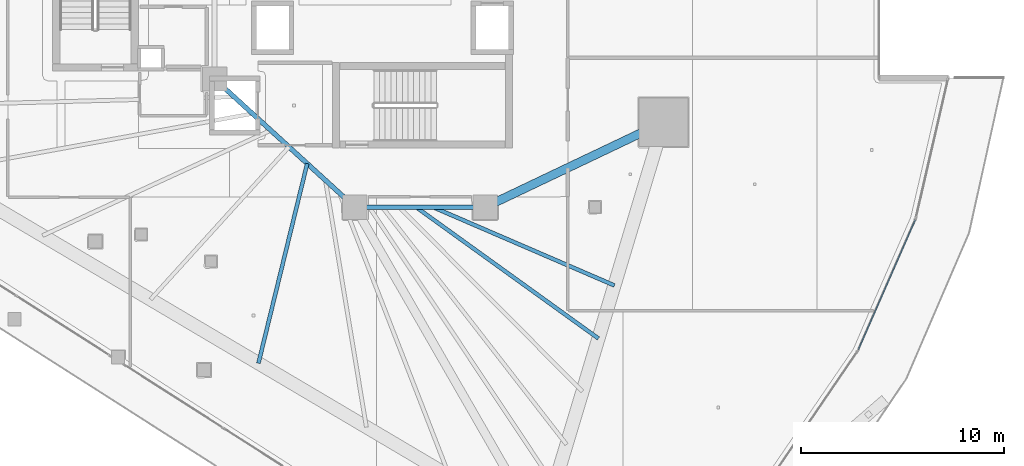
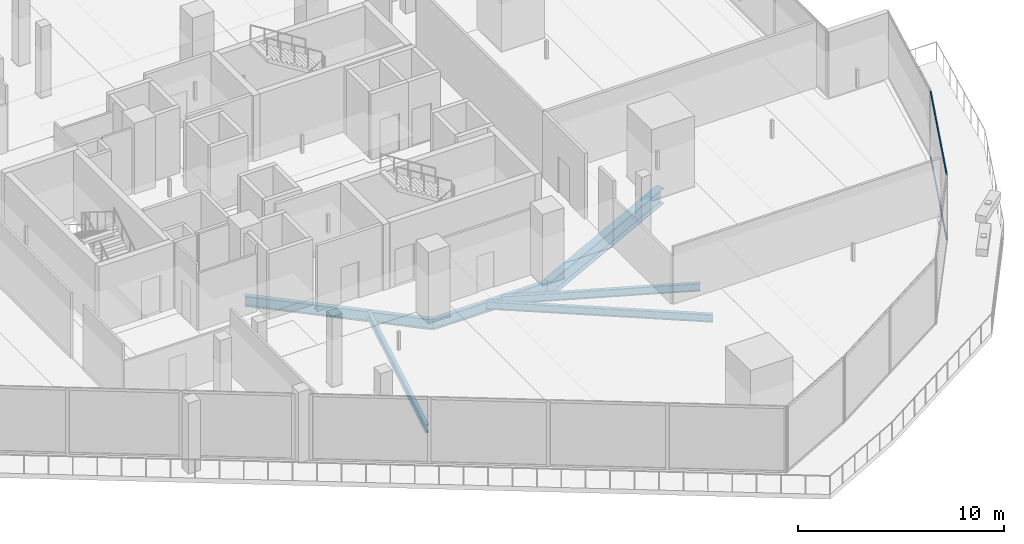
# One storey, part 12 of 45: 6 beams, 2 members, 1 element without a shape of its own.
"""IFC4 building model written with IfcOpenShell, lengths in metres."""

from ifc_helpers import new_model, si_unit, direction, frame, origin, origin_2d, place, context, subcontext, project, spatial, hollow_rectangle, i_section, extrude, material, layer, layer_set, material_profile, profile_set, type_object, element, aggregate, save


model = new_model("IFC4")

# Units and contexts
model_context = context("Model", 3, precision=1e-05, world=origin(), true_north=direction((0.0, 1.0)))
body_context = subcontext(model_context, "Body", "Model", "MODEL_VIEW")
ifc_project = project(units=[si_unit("LENGTHUNIT", "METRE"), si_unit("AREAUNIT", "SQUARE_METRE"), si_unit("VOLUMEUNIT", "CUBIC_METRE"), si_unit("PLANEANGLEUNIT", "RADIAN"), si_unit("MASSUNIT", "GRAM", prefix="KILO")], contexts=[model_context])

# Site, building, storey
site_placement = place(None, origin())
site = spatial("IfcSite", under=ifc_project, at=site_placement, CompositionType="ELEMENT")
building_placement = place(site_placement, origin())
building = spatial("IfcBuilding", under=site, at=building_placement, Name="Qorvath Tower", CompositionType="ELEMENT")
storey_placement = place(building_placement, frame((0.0, 0.0, 95.39990234375)))
storey = spatial("IfcBuildingStorey", under=building, at=storey_placement, Name="L21", CompositionType="ELEMENT", Elevation=95.39990234375)

# Beams
ifc_material_1 = material(Name="Steel ASTM A992 Grade 50", Category="steel")
ifc_material_profile_1 = material_profile(ifc_material_1, i_section(OverallWidth=0.422119140625, OverallDepth=0.93310546875, WebThickness=0.021240234375, FlangeThickness=0.039794921875, FilletRadius=0.02392578125, at=origin_2d()), Name="W36x262")
ifc_profile_set_1 = profile_set([ifc_material_profile_1], Name="Steel ASTM A992 Grade 50")
beam_type_1 = type_object("IfcBeamType", Name="BM-FG1", PredefinedType="BEAM", material=ifc_profile_set_1)
beam_1_placement = place(storey_placement, frame((-17.199951171875, -11.449951171875, -0.746337890625), z_axis=(0.902955751435, 0.429733534821, 0.0), x_axis=(-0.429733534821, 0.902955751435, 0.0)))
element("IfcBeam", 1, at=beam_1_placement, inside=storey, type_object=beam_type_1, Name="Radial Floor Girder CC3-MC4 L21", PredefinedType="BEAM", context=body_context, shape_type="SweptSolid", body=[
    extrude(i_section(OverallWidth=0.422119140625, OverallDepth=0.93310546875, WebThickness=0.021240234375, FlangeThickness=0.039794921875, FilletRadius=0.02392578125, at=origin_2d()), origin(), (0.0, 0.0, 1.0), 9.7119140625),
])
ifc_material_2 = material(Name="Steel ASTM A992 Grade 50", Category="steel")
ifc_material_profile_2 = material_profile(ifc_material_2, i_section(OverallWidth=0.22998046875, OverallDepth=0.616943359375, WebThickness=0.01318359375, FlangeThickness=0.022216796875, FilletRadius=0.014892578125, at=origin_2d()), Name="W24x94")
ifc_profile_set_2 = profile_set([ifc_material_profile_2], Name="Steel ASTM A992 Grade 50")
beam_type_2 = type_object("IfcBeamType", Name="BM-FG6", PredefinedType="BEAM", material=ifc_profile_set_2)
beam_2_placement = place(storey_placement, frame((-17.199951171875, -11.449951171875, -0.58837890625), z_axis=(-1.0, 0.0, 0.0), x_axis=(0.0, -1.0, 0.0)))
element("IfcBeam", 2, at=beam_2_placement, inside=storey, type_object=beam_type_2, Name="Core Ring Girder CC3-CC4 L21", PredefinedType="BEAM", context=body_context, shape_type="SweptSolid", body=[
    extrude(i_section(OverallWidth=0.22998046875, OverallDepth=0.616943359375, WebThickness=0.01318359375, FlangeThickness=0.022216796875, FilletRadius=0.014892578125, at=origin_2d()), origin(), (0.0, 0.0, 1.0), 6.400146484375),
])
beam_3_placement = place(storey_placement, frame((-23.60009765625, -11.449951171875, -0.58837890625), z_axis=(-0.73847813985, 0.6742774184, 0.0), x_axis=(-0.6742774184, -0.73847813985, 0.0)))
element("IfcBeam", 3, at=beam_3_placement, inside=storey, type_object=beam_type_2, Name="Core Ring Girder CC4-CC6 L21", PredefinedType="BEAM", context=body_context, shape_type="SweptSolid", body=[
    extrude(i_section(OverallWidth=0.22998046875, OverallDepth=0.616943359375, WebThickness=0.01318359375, FlangeThickness=0.022216796875, FilletRadius=0.014892578125, at=origin_2d()), origin(), (0.0, 0.0, 1.0), 9.343505859375),
])
ifc_material_3 = material(Name="Steel ASTM A992 Grade 50", Category="steel")
ifc_material_profile_3 = material_profile(ifc_material_3, i_section(OverallWidth=0.18994140625, OverallDepth=0.45703125, WebThickness=0.009033203125, FlangeThickness=0.014404296875, FilletRadius=0.011962890625, at=origin_2d()), Name="W18x50")
ifc_profile_set_3 = profile_set([ifc_material_profile_3], Name="Steel ASTM A992 Grade 50")
beam_type_3 = type_object("IfcBeamType", Name="BM-FJ2", PredefinedType="JOIST", material=ifc_profile_set_3)
beam_4_placement = place(storey_placement, frame((-19.760009765625, -11.449951171875, -0.50830078125), z_axis=(0.918135537923, -0.396266493667, 0.0), x_axis=(0.396266493667, 0.918135537923, 0.0)))
element("IfcBeam", 4, at=beam_4_placement, inside=storey, type_object=beam_type_3, Name="Composite Floor Joist SE3 L21", PredefinedType="JOIST", context=body_context, shape_type="SweptSolid", body=[
    extrude(i_section(OverallWidth=0.18994140625, OverallDepth=0.45703125, WebThickness=0.009033203125, FlangeThickness=0.014404296875, FilletRadius=0.011962890625, at=origin_2d()), origin(), (0.0, 0.0, 1.0), 9.7109375),
])
beam_5_placement = place(storey_placement, frame((-20.592041015625, -11.449951171875, -0.50830078125), z_axis=(0.811469358397, -0.584394969505, 0.0), x_axis=(0.584394969505, 0.811469358397, 0.0)))
element("IfcBeam", 5, at=beam_5_placement, inside=storey, type_object=beam_type_3, Name="Composite Floor Joist SE4 L21", PredefinedType="JOIST", context=body_context, shape_type="SweptSolid", body=[
    extrude(i_section(OverallWidth=0.18994140625, OverallDepth=0.45703125, WebThickness=0.009033203125, FlangeThickness=0.014404296875, FilletRadius=0.011962890625, at=origin_2d()), origin(), (0.0, 0.0, 1.0), 11.046142578125),
])
beam_6_placement = place(storey_placement, frame((-25.946044921875, -9.30810546875, -0.50830078125), z_axis=(-0.237165308581, -0.97146930801, 0.0), x_axis=(0.97146930801, -0.237165308581, 0.0)))
element("IfcBeam", 6, at=beam_6_placement, inside=storey, type_object=beam_type_3, Name="Composite Floor Joist SW5 L21", PredefinedType="JOIST", context=body_context, shape_type="SweptSolid", body=[
    extrude(i_section(OverallWidth=0.18994140625, OverallDepth=0.45703125, WebThickness=0.009033203125, FlangeThickness=0.014404296875, FilletRadius=0.011962890625, at=origin_2d()), origin(), (0.0, 0.0, 1.0), 10.104736328125),
])

# Curtain wall, members
ifc_material_4 = material(Name="Anodised aluminium and triple low-E glass", Category="aluminium")
ifc_layer = layer(ifc_material_4, 0.179931640625)
ifc_layer_set = layer_set([ifc_layer], Name="CW-SYS-2")
curtain_wall_type = type_object("IfcCurtainWallType", Name="CW-SYS-2", PredefinedType="NOTDEFINED", material=ifc_layer_set)
curtain_wall_placement = place(storey_placement, origin())
curtain_wall = element("IfcCurtainWall", 7, at=curtain_wall_placement, inside=storey, type_object=curtain_wall_type, Name="Curtain Wall CW-2 CW-T-L21-6.1", PredefinedType="NOTDEFINED")
ifc_material_5 = material(Name="Anodised aluminium 6063-T6", Category="aluminium")
ifc_material_profile_4 = material_profile(ifc_material_5, hollow_rectangle(XDim=0.06494140625, YDim=0.159912109375, WallThickness=0.00341796875, InnerFilletRadius=0.00341796875, OuterFilletRadius=0.007080078125, at=origin_2d()), Name="CWT 160x65")
ifc_profile_set_4 = profile_set([ifc_material_profile_4], Name="Anodised aluminium 6063-T6")
member_type = type_object("IfcMemberType", Name="CWT-160", PredefinedType="USERDEFINED", material=ifc_profile_set_4)
member_1_placement = place(storey_placement, frame((1.148681640625, -18.45849609375, 0.032470703125), z_axis=(0.40148574416, 0.915865272426, 0.0), x_axis=(-0.915865272426, 0.40148574416, 0.0)))
member_1 = element("IfcMember", 8, at=member_1_placement, type_object=member_type, Name="CW-2 transom 1.1", ObjectType="TRANSOM", PredefinedType="USERDEFINED", context=body_context, shape_type="SweptSolid", body=[
    extrude(hollow_rectangle(XDim=0.06494140625, YDim=0.159912109375, WallThickness=0.00341796875, InnerFilletRadius=0.00341796875, OuterFilletRadius=0.007080078125, at=origin_2d()), origin(), (0.0, 0.0, 1.0), 6.969970703125),
])
member_2_placement = place(storey_placement, frame((1.148681640625, -18.45849609375, 3.86767578125), z_axis=(0.40148574416, 0.915865272426, 0.0), x_axis=(-0.915865272426, 0.40148574416, 0.0)))
member_2 = element("IfcMember", 9, at=member_2_placement, type_object=member_type, Name="CW-2 transom 1.2", ObjectType="TRANSOM", PredefinedType="USERDEFINED", context=body_context, shape_type="SweptSolid", body=[
    extrude(hollow_rectangle(XDim=0.06494140625, YDim=0.159912109375, WallThickness=0.00341796875, InnerFilletRadius=0.00341796875, OuterFilletRadius=0.007080078125, at=origin_2d()), origin(), (0.0, 0.0, 1.0), 6.969970703125),
])
aggregate(curtain_wall, [member_1, member_2])

save(model, "model.ifc")
